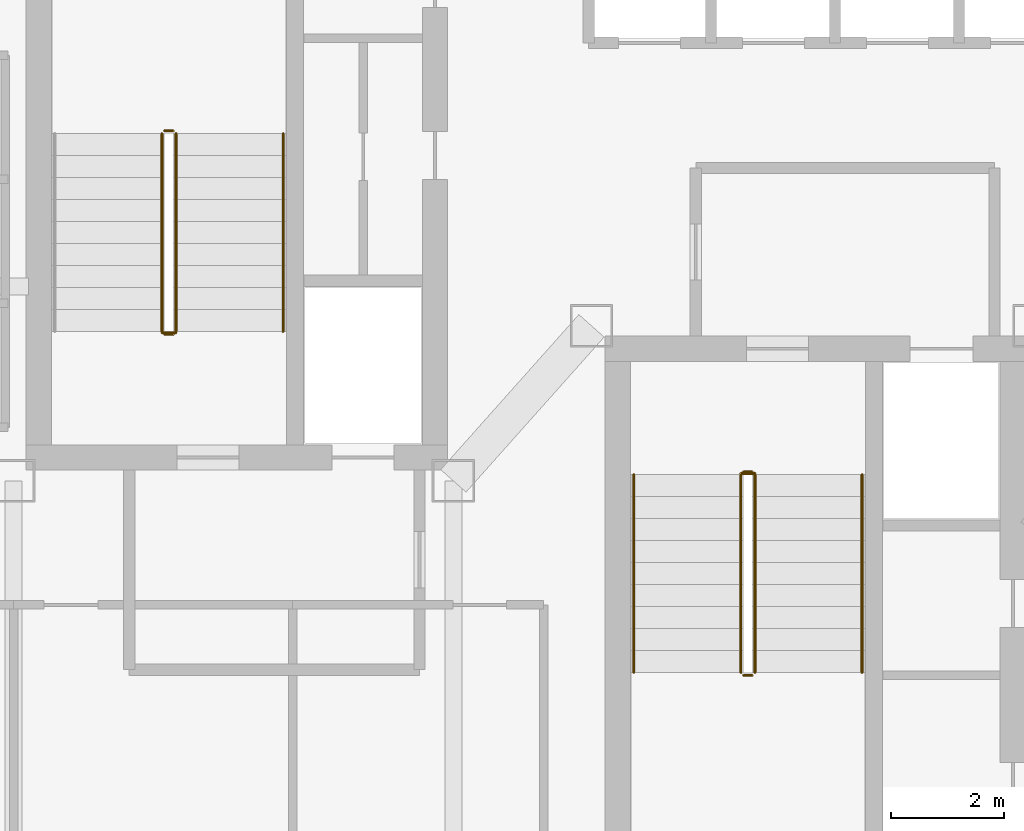
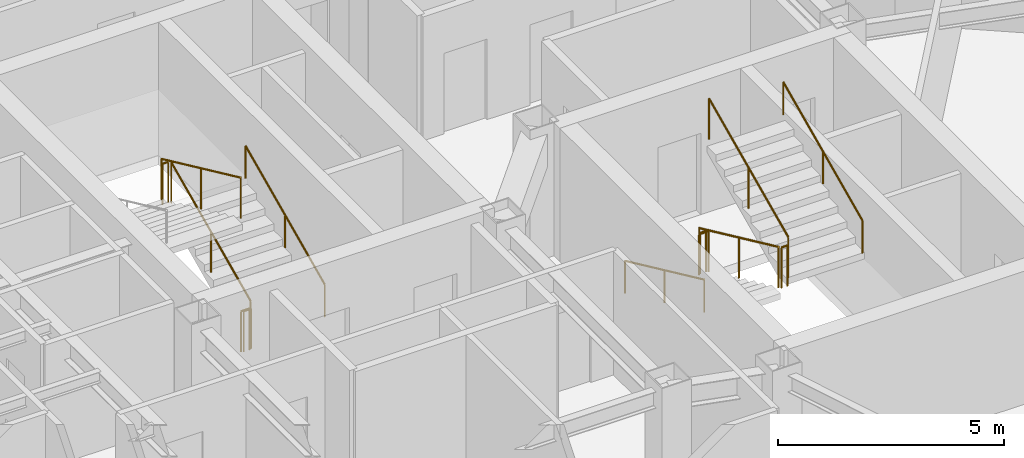
# One storey, part 24 of 26: 13 railings.
"""IFC4 building model written with IfcOpenShell, lengths in metres."""

from ifc_helpers import new_model, si_unit, direction, frame, origin, origin_2d, place, context, subcontext, project, spatial, circle, extrude, material, layer, layer_set, type_object, element, save


model = new_model("IFC4")

# Units and contexts
model_context = context("Model", 3, precision=1e-05, world=origin(), true_north=direction((0.0, 1.0)))
body_context = subcontext(model_context, "Body", "Model", "MODEL_VIEW")
ifc_project = project(units=[si_unit("LENGTHUNIT", "METRE"), si_unit("AREAUNIT", "SQUARE_METRE"), si_unit("VOLUMEUNIT", "CUBIC_METRE"), si_unit("PLANEANGLEUNIT", "RADIAN"), si_unit("MASSUNIT", "GRAM", prefix="KILO")], contexts=[model_context])

# Site, building, storey
site_placement = place(None, origin())
site = spatial("IfcSite", under=ifc_project, at=site_placement, CompositionType="ELEMENT")
building_placement = place(site_placement, origin())
building = spatial("IfcBuilding", under=site, at=building_placement, Name="Hatsunagi Terrace Concourse", CompositionType="ELEMENT")
storey_placement = place(building_placement, frame((0.0, 0.0, 198.75)))
storey = spatial("IfcBuildingStorey", under=building, at=storey_placement, Name="L52", CompositionType="ELEMENT", Elevation=198.75)

# Railings
ifc_material_1 = material(Name="Stainless steel", Category="steel")
ifc_layer_1 = layer(ifc_material_1, 0.044921875)
ifc_layer_set_1 = layer_set([ifc_layer_1], Name="StairPitchHandrail_Tower2000")
railing_type_1 = type_object("IfcRailingType", Name="StairPitchHandrail_Tower2000", PredefinedType="HANDRAIL", material=ifc_layer_set_1)
railing_1_placement = place(storey_placement, frame((30.330078125, 35.199951171875, 0.179931640625)))
element("IfcRailing", 1, at=railing_1_placement, inside=storey, type_object=railing_type_1, Name="L52 ST-A stair handrail 1", PredefinedType="HANDRAIL", context=body_context, shape_type="SweptSolid", body=[
    extrude(circle(Radius=0.02392578125, at=origin_2d()), frame((0.0, 0.0, 0.8759765625), z_axis=(0.0, 0.907948293929, 0.419082206198), x_axis=(-1.0, 0.0, 0.0)), (0.0, 0.0, 1.0), 3.865966796875),
    extrude(circle(Radius=0.02099609375, at=origin_2d()), origin(), (0.0, 0.0, 1.0), 0.851806640625),
    extrude(circle(Radius=0.02099609375, at=origin_2d()), frame((0.0, 1.7548828125, 0.81005859375)), (0.0, 0.0, 1.0), 0.851806640625),
    extrude(circle(Radius=0.02099609375, at=origin_2d()), frame((0.0, 3.510009765625, 1.6201171875)), (0.0, 0.0, 1.0), 0.851806640625),
])
railing_2_placement = place(storey_placement, frame((36.550048828125, 32.659912109375, 0.179931640625)))
element("IfcRailing", 2, at=railing_2_placement, inside=storey, type_object=railing_type_1, Name="L52 ST-B stair handrail 1", PredefinedType="HANDRAIL", context=body_context, shape_type="SweptSolid", body=[
    extrude(circle(Radius=0.02392578125, at=origin_2d()), frame((0.0, 0.0, 0.8759765625), z_axis=(0.0, -0.907948293929, 0.419082206198), x_axis=(1.0, 0.0, 0.0)), (0.0, 0.0, 1.0), 3.865966796875),
    extrude(circle(Radius=0.02099609375, at=origin_2d()), origin(), (0.0, 0.0, 1.0), 0.851806640625),
    extrude(circle(Radius=0.02099609375, at=origin_2d()), frame((0.0, -1.7548828125, 0.81005859375)), (0.0, 0.0, 1.0), 0.851806640625),
    extrude(circle(Radius=0.02099609375, at=origin_2d()), frame((0.0, -3.510009765625, 1.6201171875)), (0.0, 0.0, 1.0), 0.851806640625),
])
railing_3_placement = place(storey_placement, frame((40.60009765625, 29.14990234375, 1.97998046875)))
element("IfcRailing", 3, at=railing_3_placement, inside=storey, type_object=railing_type_1, Name="L52 ST-B stair handrail 2", PredefinedType="HANDRAIL", context=body_context, shape_type="SweptSolid", body=[
    extrude(circle(Radius=0.02392578125, at=origin_2d()), frame((0.0, 0.0, 0.8759765625), z_axis=(0.0, 0.907948293929, 0.419082206198), x_axis=(-1.0, 0.0, 0.0)), (0.0, 0.0, 1.0), 3.865966796875),
    extrude(circle(Radius=0.02099609375, at=origin_2d()), origin(), (0.0, 0.0, 1.0), 0.851806640625),
    extrude(circle(Radius=0.02099609375, at=origin_2d()), frame((0.0, 1.7548828125, 0.81005859375)), (0.0, 0.0, 1.0), 0.851806640625),
    extrude(circle(Radius=0.02099609375, at=origin_2d()), frame((0.0, 3.510009765625, 1.6201171875)), (0.0, 0.0, 1.0), 0.851806640625),
])
ifc_material_2 = material(Name="Stainless steel", Category="steel")
ifc_layer_2 = layer(ifc_material_2, 0.06005859375)
ifc_layer_set_2 = layer_set([ifc_layer_2], Name="StairWellGuard_Tower2000")
railing_type_2 = type_object("IfcRailingType", Name="StairWellGuard_Tower2000", PredefinedType="BALUSTRADE", material=ifc_layer_set_2)
railing_4_placement = place(storey_placement, frame((28.429931640625, 35.199951171875, 0.179931640625)))
element("IfcRailing", 4, at=railing_4_placement, inside=storey, type_object=railing_type_2, Name="L52 ST-A stair guard 1", PredefinedType="BALUSTRADE", context=body_context, shape_type="SweptSolid", body=[
    extrude(circle(Radius=0.02392578125, at=origin_2d()), frame((0.0, 0.0, 1.09619140625), z_axis=(0.0, 0.907948293929, 0.419082206198), x_axis=(-1.0, 0.0, 0.0)), (0.0, 0.0, 1.0), 3.865966796875),
    extrude(circle(Radius=0.02099609375, at=origin_2d()), origin(), (0.0, 0.0, 1.0), 1.072021484375),
    extrude(circle(Radius=0.02099609375, at=origin_2d()), frame((0.0, 1.7548828125, 0.81005859375)), (0.0, 0.0, 1.0), 1.072021484375),
    extrude(circle(Radius=0.02099609375, at=origin_2d()), frame((0.0, 3.510009765625, 1.6201171875)), (0.0, 0.0, 1.0), 1.072021484375),
])
railing_5_placement = place(storey_placement, frame((28.3798828125, 38.760009765625, 1.800048828125)))
element("IfcRailing", 5, at=railing_5_placement, inside=storey, type_object=railing_type_2, Name="L52 ST-A stair guard 2", PredefinedType="BALUSTRADE", context=body_context, shape_type="SweptSolid", body=[
    extrude(circle(Radius=0.02392578125, at=origin_2d()), frame((0.0, 0.0, 1.09619140625), z_axis=(-1.0, 0.0, 0.0), x_axis=(0.0, -1.0, 0.0)), (0.0, 0.0, 1.0), 0.14990234375),
    extrude(circle(Radius=0.02099609375, at=origin_2d()), origin(), (0.0, 0.0, 1.0), 1.072021484375),
    extrude(circle(Radius=0.02099609375, at=origin_2d()), frame((-0.14990234375, 0.0, 0.0)), (0.0, 0.0, 1.0), 1.072021484375),
])
railing_6_placement = place(storey_placement, frame((28.179931640625, 38.7099609375, 1.97998046875)))
element("IfcRailing", 6, at=railing_6_placement, inside=storey, type_object=railing_type_2, Name="L52 ST-A stair guard 3", PredefinedType="BALUSTRADE", context=body_context, shape_type="SweptSolid", body=[
    extrude(circle(Radius=0.02392578125, at=origin_2d()), frame((0.0, 0.0, 1.09619140625), z_axis=(0.0, -0.907948293929, 0.419082206198), x_axis=(1.0, 0.0, 0.0)), (0.0, 0.0, 1.0), 3.865966796875),
    extrude(circle(Radius=0.02099609375, at=origin_2d()), origin(), (0.0, 0.0, 1.0), 1.072021484375),
    extrude(circle(Radius=0.02099609375, at=origin_2d()), frame((0.0, -1.7548828125, 0.81005859375)), (0.0, 0.0, 1.0), 1.072021484375),
    extrude(circle(Radius=0.02099609375, at=origin_2d()), frame((0.0, -3.510009765625, 1.6201171875)), (0.0, 0.0, 1.0), 1.072021484375),
])
railing_7_placement = place(storey_placement, frame((28.3798828125, 35.14990234375, 0.0)))
element("IfcRailing", 7, at=railing_7_placement, inside=storey, type_object=railing_type_2, Name="L52 ST-A stair guard 4", PredefinedType="BALUSTRADE", context=body_context, shape_type="SweptSolid", body=[
    extrude(circle(Radius=0.02392578125, at=origin_2d()), frame((0.0, 0.0, 1.09619140625), z_axis=(-1.0, 0.0, 0.0), x_axis=(0.0, -1.0, 0.0)), (0.0, 0.0, 1.0), 0.14990234375),
    extrude(circle(Radius=0.02099609375, at=origin_2d()), origin(), (0.0, 0.0, 1.0), 1.072021484375),
    extrude(circle(Radius=0.02099609375, at=origin_2d()), frame((-0.14990234375, 0.0, 0.0)), (0.0, 0.0, 1.0), 1.072021484375),
])
railing_8_placement = place(storey_placement, frame((38.449951171875, 32.659912109375, 0.179931640625)))
element("IfcRailing", 8, at=railing_8_placement, inside=storey, type_object=railing_type_2, Name="L52 ST-B stair guard 1", PredefinedType="BALUSTRADE", context=body_context, shape_type="SweptSolid", body=[
    extrude(circle(Radius=0.02392578125, at=origin_2d()), frame((0.0, 0.0, 1.09619140625), z_axis=(0.0, -0.907948293929, 0.419082206198), x_axis=(1.0, 0.0, 0.0)), (0.0, 0.0, 1.0), 3.865966796875),
    extrude(circle(Radius=0.02099609375, at=origin_2d()), origin(), (0.0, 0.0, 1.0), 1.072021484375),
    extrude(circle(Radius=0.02099609375, at=origin_2d()), frame((0.0, -1.7548828125, 0.81005859375)), (0.0, 0.0, 1.0), 1.072021484375),
    extrude(circle(Radius=0.02099609375, at=origin_2d()), frame((0.0, -3.510009765625, 1.6201171875)), (0.0, 0.0, 1.0), 1.072021484375),
])
railing_9_placement = place(storey_placement, frame((38.5, 29.10009765625, 1.800048828125)))
element("IfcRailing", 9, at=railing_9_placement, inside=storey, type_object=railing_type_2, Name="L52 ST-B stair guard 2", PredefinedType="BALUSTRADE", context=body_context, shape_type="SweptSolid", body=[
    extrude(circle(Radius=0.02392578125, at=origin_2d()), frame((0.0, 0.0, 1.09619140625), z_axis=(1.0, 0.0, 0.0), x_axis=(0.0, 1.0, 0.0)), (0.0, 0.0, 1.0), 0.14990234375),
    extrude(circle(Radius=0.02099609375, at=origin_2d()), origin(), (0.0, 0.0, 1.0), 1.072021484375),
    extrude(circle(Radius=0.02099609375, at=origin_2d()), frame((0.14990234375, 0.0, 0.0)), (0.0, 0.0, 1.0), 1.072021484375),
])
railing_10_placement = place(storey_placement, frame((38.699951171875, 29.14990234375, 1.97998046875)))
element("IfcRailing", 10, at=railing_10_placement, inside=storey, type_object=railing_type_2, Name="L52 ST-B stair guard 3", PredefinedType="BALUSTRADE", context=body_context, shape_type="SweptSolid", body=[
    extrude(circle(Radius=0.02392578125, at=origin_2d()), frame((0.0, 0.0, 1.09619140625), z_axis=(0.0, 0.907948293929, 0.419082206198), x_axis=(-1.0, 0.0, 0.0)), (0.0, 0.0, 1.0), 3.865966796875),
    extrude(circle(Radius=0.02099609375, at=origin_2d()), origin(), (0.0, 0.0, 1.0), 1.072021484375),
    extrude(circle(Radius=0.02099609375, at=origin_2d()), frame((0.0, 1.7548828125, 0.81005859375)), (0.0, 0.0, 1.0), 1.072021484375),
    extrude(circle(Radius=0.02099609375, at=origin_2d()), frame((0.0, 3.510009765625, 1.6201171875)), (0.0, 0.0, 1.0), 1.072021484375),
])
railing_11_placement = place(storey_placement, frame((38.5, 32.7099609375, 0.0)))
element("IfcRailing", 11, at=railing_11_placement, inside=storey, type_object=railing_type_2, Name="L52 ST-B stair guard 4", PredefinedType="BALUSTRADE", context=body_context, shape_type="SweptSolid", body=[
    extrude(circle(Radius=0.02392578125, at=origin_2d()), frame((0.0, 0.0, 1.09619140625), z_axis=(1.0, 0.0, 0.0), x_axis=(0.0, 1.0, 0.0)), (0.0, 0.0, 1.0), 0.14990234375),
    extrude(circle(Radius=0.02099609375, at=origin_2d()), origin(), (0.0, 0.0, 1.0), 1.072021484375),
    extrude(circle(Radius=0.02099609375, at=origin_2d()), frame((0.14990234375, 0.0, 0.0)), (0.0, 0.0, 1.0), 1.072021484375),
])
ifc_material_3 = material(Name="Stainless Steel SUS316 Post-and-Rail Guard", Category="steel")
ifc_layer_3 = layer(ifc_material_3, 0.080078125)
ifc_layer_set_3 = layer_set([ifc_layer_3], Name="TerracePlantedGuardRail_1200")
railing_type_3 = type_object("IfcRailingType", Name="TerracePlantedGuardRail_1200", PredefinedType="GUARDRAIL", material=ifc_layer_set_3)
for number, where, name in (
    (12, (28.179931640625, 35.179931640625, 0.0), "Stair ST-A Well Closure Guard L52"),
    (13, (38.449951171875, 32.679931640625, 0.0), "Stair ST-B Well Closure Guard L52"),
):
    element("IfcRailing", number, at=place(storey_placement, frame(where)), inside=storey, type_object=railing_type_3, Name=name, PredefinedType="GUARDRAIL", context=body_context, shape_type="SweptSolid", body=[
        extrude(circle(Radius=0.02392578125, at=origin_2d()), frame((0.0, 0.0, 1.09619140625), z_axis=(1.0, 0.0, 0.0), x_axis=(0.0, 1.0, 0.0)), (0.0, 0.0, 1.0), 0.25),
        extrude(circle(Radius=0.02099609375, at=origin_2d()), origin(), (0.0, 0.0, 1.0), 1.072021484375),
        extrude(circle(Radius=0.02099609375, at=origin_2d()), frame((0.25, 0.0, 0.0)), (0.0, 0.0, 1.0), 1.072021484375),
    ])

save(model, "model.ifc")
